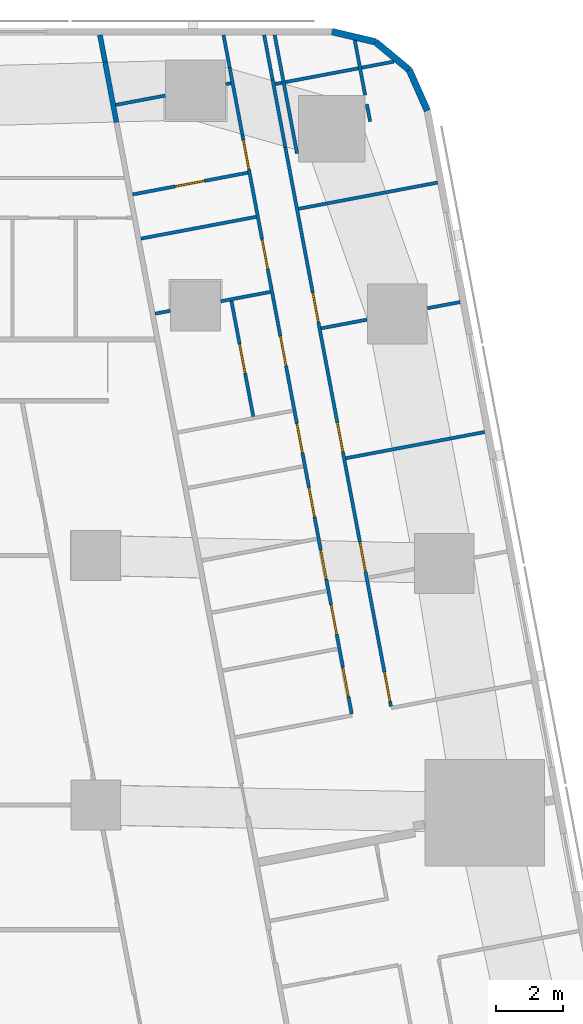
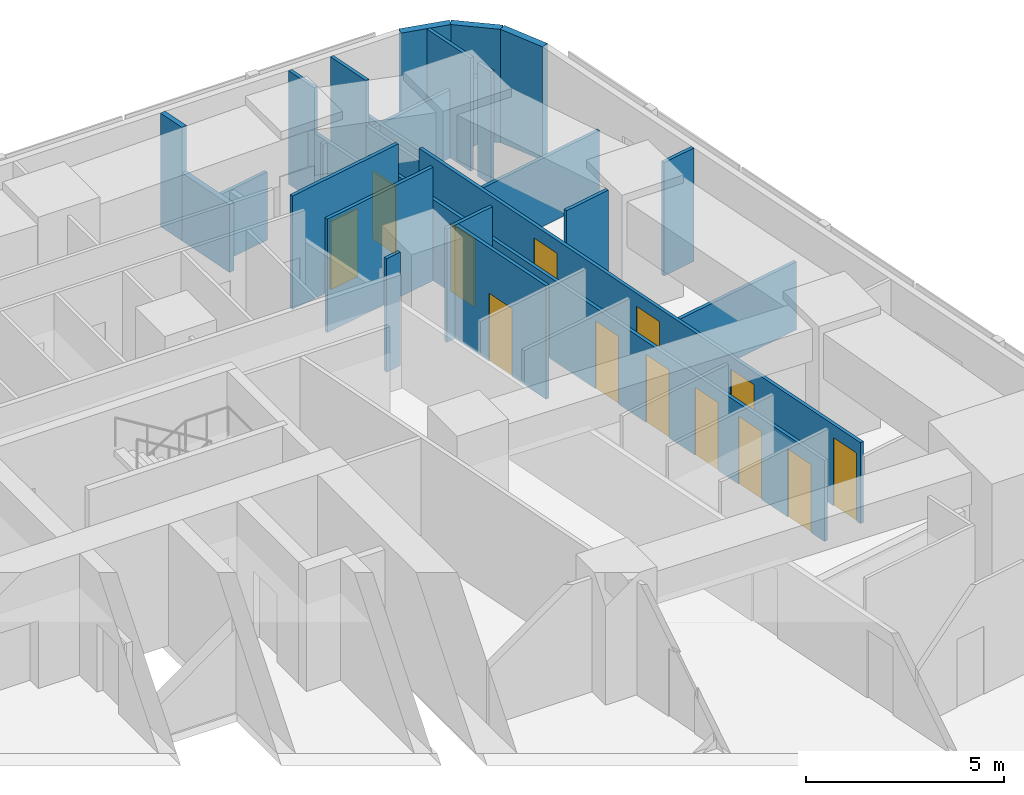
# One storey, part 11 of 15: 26 walls, 14 doors, 14 openings.
"""IFC4 building model written with IfcOpenShell, lengths in metres."""

from ifc_helpers import new_model, si_unit, direction, frame, frame_2d, origin, place, context, subcontext, project, spatial, rectangle, extrude, material, layer, layer_set, type_object, element, fill, save


model = new_model("IFC4")

# Units and contexts
model_context = context("Model", 3, precision=1e-05, world=origin(), true_north=direction((0.0, 1.0)))
body_context = subcontext(model_context, "Body", "Model", "MODEL_VIEW")
ifc_project = project(units=[si_unit("LENGTHUNIT", "METRE"), si_unit("AREAUNIT", "SQUARE_METRE"), si_unit("VOLUMEUNIT", "CUBIC_METRE"), si_unit("PLANEANGLEUNIT", "RADIAN"), si_unit("MASSUNIT", "GRAM", prefix="KILO")], contexts=[model_context])

# Site, building, storey
site_placement = place(None, origin())
site = spatial("IfcSite", under=ifc_project, at=site_placement, CompositionType="ELEMENT")
building_placement = place(site_placement, origin())
building = spatial("IfcBuilding", under=site, at=building_placement, Name="Sheger Commons Tower", CompositionType="ELEMENT")
storey_placement = place(building_placement, frame((0.0, 0.0, 143.300048828125)))
storey = spatial("IfcBuildingStorey", under=building, at=storey_placement, Name="L36", CompositionType="ELEMENT", Elevation=143.300048828125)

# Walls
ifc_material_1 = material(Name="Hollow concrete block masonry, skimmed both sides", Category="masonry")
ifc_layer_1 = layer(ifc_material_1, 0.14990234375)
ifc_layer_set_1 = layer_set([ifc_layer_1], Name="CORRIDOR WALL 150")
wall_type_1 = type_object("IfcWallType", Name="CORRIDOR WALL 150", PredefinedType="SOLIDWALL", material=ifc_layer_set_1)
wall_1_placement = place(storey_placement, frame((33.126953125, 45.64990234375, 0.0), z_axis=(0.0, 0.0, 1.0), x_axis=(0.186176514576, -0.982516313056, 0.0)))
element("IfcWall", 1, at=wall_1_placement, inside=storey, type_object=wall_type_1, Name="Corridor wall L36", PredefinedType="SOLIDWALL", context=body_context, shape_type="SweptSolid", body=[
    extrude(rectangle(XDim=0.827392578125, YDim=0.14990234375, at=frame_2d((0.41357421875, 0.0))), origin(), (0.0, 0.0, 1.0), 3.5),
])
wall_2_placement = place(storey_placement, frame((33.281005859375, 44.8369140625, 0.0), z_axis=(0.0, 0.0, 1.0), x_axis=(0.185198323004, -0.982701165745, 0.0)))
element("IfcWall", 2, at=wall_2_placement, inside=storey, type_object=wall_type_1, Name="Corridor wall L36", PredefinedType="SOLIDWALL", context=body_context, shape_type="SweptSolid", body=[
    extrude(rectangle(XDim=1.846923828125, YDim=0.14990234375, at=frame_2d((0.92333984375, 0.0))), origin(), (0.0, 0.0, 1.0), 2.099853515625),
])
ifc_material_2 = material(Name="Rendered concrete block masonry, dark grey", Category="masonry")
ifc_layer_2 = layer(ifc_material_2, 0.199951171875)
ifc_layer_set_2 = layer_set([ifc_layer_2], Name="FACADE WALL 200")
wall_type_2 = type_object("IfcWallType", Name="FACADE WALL 200", PredefinedType="SOLIDWALL", material=ifc_layer_set_2)
wall_3_placement = place(storey_placement, frame((42.969970703125, 43.376953125, 0.0), z_axis=(0.0, 0.0, 1.0), x_axis=(-0.406002956633, 0.913871762998, 0.0)))
element("IfcWall", 3, at=wall_3_placement, inside=storey, type_object=wall_type_2, Name="Facade wall L36", PredefinedType="SOLIDWALL", context=body_context, shape_type="SweptSolid", body=[
    extrude(rectangle(XDim=1.33740234375, YDim=0.199951171875, at=frame_2d((0.668701171875, 0.0))), origin(), (0.0, 0.0, 1.0), 3.5),
])
wall_4_placement = place(storey_placement, frame((42.427001953125, 44.59912109375, 0.0), z_axis=(0.0, 0.0, 1.0), x_axis=(-0.770091412544, 0.637933551655, 0.0)))
element("IfcWall", 4, at=wall_4_placement, inside=storey, type_object=wall_type_2, Name="Facade wall L36", PredefinedType="SOLIDWALL", context=body_context, shape_type="SweptSolid", body=[
    extrude(rectangle(XDim=1.324462890625, YDim=0.199951171875, at=frame_2d((0.662109375, 0.0))), origin(), (0.0, 0.0, 1.0), 3.5),
])
wall_5_placement = place(storey_placement, frame((41.406982421875, 45.444091796875, 0.0), z_axis=(0.0, 0.0, 1.0), x_axis=(-0.973453091607, 0.228886606077, 0.0)))
element("IfcWall", 5, at=wall_5_placement, inside=storey, type_object=wall_type_2, Name="Facade wall L36", PredefinedType="SOLIDWALL", context=body_context, shape_type="SweptSolid", body=[
    extrude(rectangle(XDim=1.33642578125, YDim=0.199951171875, at=frame_2d((0.668212890625, 0.0))), origin(), (0.0, 0.0, 1.0), 3.5),
])
ifc_material_3 = material(Name="Gypsum board on steel studs", Category="steel")
ifc_layer_3 = layer(ifc_material_3, 0.10009765625)
ifc_layer_set_3 = layer_set([ifc_layer_3], Name="PARTITION 100")
wall_type_3 = type_object("IfcWallType", Name="PARTITION 100", PredefinedType="PARTITIONING", material=ifc_layer_set_3)
wall_6_placement = place(storey_placement, frame((39.053955078125, 42.0849609375, 0.0), z_axis=(0.0, 0.0, 1.0), x_axis=(-0.185791584218, 0.982589175207, 0.0)))
element("IfcWall", 6, at=wall_6_placement, inside=storey, type_object=wall_type_3, Name="Partition L36", PredefinedType="PARTITIONING", context=body_context, shape_type="SweptSolid", body=[
    extrude(rectangle(XDim=3.628173828125, YDim=0.10009765625, at=frame_2d((1.81396484375, 0.0))), origin(), (0.0, 0.0, 1.0), 2.099853515625),
])
wall_7_placement = place(storey_placement, frame((40.7890625, 45.487060546875, 0.0), z_axis=(0.0, 0.0, 1.0), x_axis=(0.185572395193, -0.982630594955, 0.0)))
element("IfcWall", 7, at=wall_7_placement, inside=storey, type_object=wall_type_3, Name="Partition L36", PredefinedType="PARTITIONING", context=body_context, shape_type="SweptSolid", body=[
    extrude(rectangle(XDim=1.676025390625, YDim=0.10009765625, at=frame_2d((0.837890625, 0.0))), origin(), (0.0, 0.0, 1.0), 3.5),
])
wall_8_placement = place(storey_placement, frame((41.15087890625, 43.569091796875, 0.0), z_axis=(0.0, 0.0, 1.0), x_axis=(0.186563073924, -0.982442985342, 0.0)))
element("IfcWall", 8, at=wall_8_placement, inside=storey, type_object=wall_type_3, Name="Partition L36", PredefinedType="PARTITIONING", context=body_context, shape_type="SweptSolid", body=[
    extrude(rectangle(XDim=0.53125, YDim=0.10009765625, at=frame_2d((0.265625, 0.0))), origin(), (0.0, 0.0, 1.0), 3.5),
])
wall_9_placement = place(storey_placement, frame((38.06298828125, 45.64990234375, 0.0), z_axis=(0.0, 0.0, 1.0), x_axis=(0.185456359766, -0.982652501458, 0.0)))
element("IfcWall", 9, at=wall_9_placement, inside=storey, type_object=wall_type_3, Name="Partition L36", PredefinedType="PARTITIONING", context=body_context, shape_type="SweptSolid", body=[
    extrude(rectangle(XDim=1.375732421875, YDim=0.10009765625, at=frame_2d((0.68798828125, 0.0))), origin(), (0.0, 0.0, 1.0), 3.5),
])
wall_10_placement = place(storey_placement, frame((38.318115234375, 44.298095703125, 0.0), z_axis=(0.0, 0.0, 1.0), x_axis=(0.185481135188, -0.982647825261, 0.0)))
element("IfcWall", 10, at=wall_10_placement, inside=storey, type_object=wall_type_3, Name="Partition L36", PredefinedType="PARTITIONING", context=body_context, shape_type="SweptSolid", body=[
    extrude(rectangle(XDim=2.06396484375, YDim=0.10009765625, at=frame_2d((1.031982421875, 0.0))), origin(), (0.0, 0.0, 1.0), 2.099853515625),
])

# Wall, openings, doors
wall_11_placement = place(storey_placement, frame((38.700927734375, 42.27001953125, 0.0), z_axis=(0.0, 0.0, 1.0), x_axis=(0.185640619081, -0.98261770824, 0.0)))
wall_11 = element("IfcWall", 11, at=wall_11_placement, inside=storey, type_object=wall_type_3, Name="Partition L36", PredefinedType="PARTITIONING", context=body_context, shape_type="SweptSolid", body=[
    extrude(rectangle(XDim=17.103271484375, YDim=0.10009765625, at=frame_2d((8.5517578125, 0.0))), origin(), (0.0, 0.0, 1.0), 2.5),
])
opening_1_placement = place(wall_11_placement, frame((16.052978515625, 0.0, 0.0)))
opening_1 = element("IfcOpeningElement", 12, at=opening_1_placement, cuts=wall_11, Name="Opening D2", PredefinedType="OPENING", context=body_context, shape_type="SweptSolid", body=[
    extrude(rectangle(XDim=0.89990234375, YDim=2.10009765625, at=frame_2d((0.449951171875, 1.050048828125))), frame((0.0, 0.06005859375, 0.0), z_axis=(0.0, -1.0, 0.0), x_axis=(1.0, 0.0, 0.0)), (0.0, 0.0, 1.0), 0.1201171875),
])
opening_2_placement = place(wall_11_placement, frame((12.076904296875, 0.0, 0.0)))
opening_2 = element("IfcOpeningElement", 13, at=opening_2_placement, cuts=wall_11, Name="Opening D2", PredefinedType="OPENING", context=body_context, shape_type="SweptSolid", body=[
    extrude(rectangle(XDim=0.89990234375, YDim=2.10009765625, at=frame_2d((0.449951171875, 1.050048828125))), frame((0.0, 0.06005859375, 0.0), z_axis=(0.0, -1.0, 0.0), x_axis=(1.0, 0.0, 0.0)), (0.0, 0.0, 1.0), 0.1201171875),
])
opening_3_placement = place(wall_11_placement, frame((8.419921875, 0.0, 0.0)))
opening_3 = element("IfcOpeningElement", 14, at=opening_3_placement, cuts=wall_11, Name="Opening D2", PredefinedType="OPENING", context=body_context, shape_type="SweptSolid", body=[
    extrude(rectangle(XDim=0.89990234375, YDim=2.10009765625, at=frame_2d((0.449951171875, 1.050048828125))), frame((0.0, 0.06005859375, 0.0), z_axis=(0.0, -1.0, 0.0), x_axis=(1.0, 0.0, 0.0)), (0.0, 0.0, 1.0), 0.1201171875),
])
opening_4_placement = place(wall_11_placement, frame((4.444091796875, 0.0, 0.0)))
opening_4 = element("IfcOpeningElement", 15, at=opening_4_placement, cuts=wall_11, Name="Opening D2", PredefinedType="OPENING", context=body_context, shape_type="SweptSolid", body=[
    extrude(rectangle(XDim=0.89990234375, YDim=2.10009765625, at=frame_2d((0.449951171875, 1.050048828125))), frame((0.0, 0.06005859375, 0.0), z_axis=(0.0, -1.0, 0.0), x_axis=(1.0, 0.0, 0.0)), (0.0, 0.0, 1.0), 0.1201171875),
])
ifc_material_4 = material(Name="Timber door set", Category="wood")
door_type = type_object("IfcDoorType", Name="INTERNAL DOOR 900x2100", OperationType="NOTDEFINED", PredefinedType="DOOR", material=ifc_material_4)
door_1_placement = place(opening_1_placement, origin())
door_1 = element("IfcDoor", 16, at=door_1_placement, inside=storey, type_object=door_type, Name="Main bedroom door", OperationType="SINGLE_SWING_RIGHT", OverallHeight=2.10009765625, OverallWidth=0.89990234375, PredefinedType="DOOR", context=body_context, shape_type="SweptSolid", body=[
    extrude(rectangle(XDim=0.89990234375, YDim=2.10009765625, at=frame_2d((0.449951171875, 1.050048828125))), frame((0.0, 0.02490234375, 0.0), z_axis=(0.0, -1.0, 0.0), x_axis=(1.0, 0.0, 0.0)), (0.0, 0.0, 1.0), 0.050048828125),
])
fill(opening_1, door_1)
door_2_placement = place(opening_2_placement, origin())
door_2 = element("IfcDoor", 17, at=door_2_placement, inside=storey, type_object=door_type, Name="Bedroom 2 door", OperationType="SINGLE_SWING_RIGHT", OverallHeight=2.10009765625, OverallWidth=0.89990234375, PredefinedType="DOOR", context=body_context, shape_type="SweptSolid", body=[
    extrude(rectangle(XDim=0.89990234375, YDim=2.10009765625, at=frame_2d((0.449951171875, 1.050048828125))), frame((0.0, 0.02490234375, 0.0), z_axis=(0.0, -1.0, 0.0), x_axis=(1.0, 0.0, 0.0)), (0.0, 0.0, 1.0), 0.050048828125),
])
fill(opening_2, door_2)
door_3_placement = place(opening_3_placement, origin())
door_3 = element("IfcDoor", 18, at=door_3_placement, inside=storey, type_object=door_type, Name="Bedroom 3 door", OperationType="SINGLE_SWING_RIGHT", OverallHeight=2.10009765625, OverallWidth=0.89990234375, PredefinedType="DOOR", context=body_context, shape_type="SweptSolid", body=[
    extrude(rectangle(XDim=0.89990234375, YDim=2.10009765625, at=frame_2d((0.449951171875, 1.050048828125))), frame((0.0, 0.02490234375, 0.0), z_axis=(0.0, -1.0, 0.0), x_axis=(1.0, 0.0, 0.0)), (0.0, 0.0, 1.0), 0.050048828125),
])
fill(opening_3, door_3)
door_4_placement = place(opening_4_placement, origin())
door_4 = element("IfcDoor", 19, at=door_4_placement, inside=storey, type_object=door_type, Name="Bedroom 4 door", OperationType="SINGLE_SWING_RIGHT", OverallHeight=2.10009765625, OverallWidth=0.89990234375, PredefinedType="DOOR", context=body_context, shape_type="SweptSolid", body=[
    extrude(rectangle(XDim=0.89990234375, YDim=2.10009765625, at=frame_2d((0.449951171875, 1.050048828125))), frame((0.0, 0.02490234375, 0.0), z_axis=(0.0, -1.0, 0.0), x_axis=(1.0, 0.0, 0.0)), (0.0, 0.0, 1.0), 0.050048828125),
])
fill(opening_4, door_4)

# Walls
wall_12_placement = place(storey_placement, frame((36.842041015625, 45.64990234375, 0.0), z_axis=(0.0, 0.0, 1.0), x_axis=(0.185789875365, -0.982589498322, 0.0)))
element("IfcWall", 20, at=wall_12_placement, inside=storey, type_object=wall_type_3, Name="Partition L36", PredefinedType="PARTITIONING", context=body_context, shape_type="SweptSolid", body=[
    extrude(rectangle(XDim=1.001220703125, YDim=0.10009765625, at=frame_2d((0.50048828125, 0.0))), origin(), (0.0, 0.0, 1.0), 3.5),
])
wall_13_placement = place(storey_placement, frame((37.028076171875, 44.666015625, 0.0), z_axis=(0.0, 0.0, 1.0), x_axis=(0.185481135188, -0.982647825261, 0.0)))
element("IfcWall", 21, at=wall_13_placement, inside=storey, type_object=wall_type_3, Name="Partition L36", PredefinedType="PARTITIONING", context=body_context, shape_type="SweptSolid", body=[
    extrude(rectangle(XDim=2.06396484375, YDim=0.10009765625, at=frame_2d((1.031982421875, 0.0))), origin(), (0.0, 0.0, 1.0), 2.099853515625),
])

# Wall, openings, doors
wall_14_placement = place(storey_placement, frame((37.410888671875, 42.637939453125, 0.0), z_axis=(0.0, 0.0, 1.0), x_axis=(0.185555586706, -0.982633769134, 0.0)))
wall_14 = element("IfcWall", 22, at=wall_14_placement, inside=storey, type_object=wall_type_3, Name="Partition L36", PredefinedType="PARTITIONING", context=body_context, shape_type="SweptSolid", body=[
    extrude(rectangle(XDim=17.704345703125, YDim=0.10009765625, at=frame_2d((8.85205078125, 0.0))), origin(), (0.0, 0.0, 1.0), 2.5),
])
opening_5_placement = place(wall_14_placement, frame((16.280029296875, 0.0, 0.0)))
opening_5 = element("IfcOpeningElement", 23, at=opening_5_placement, cuts=wall_14, Name="Opening D2", PredefinedType="OPENING", context=body_context, shape_type="SweptSolid", body=[
    extrude(rectangle(XDim=0.89990234375, YDim=2.10009765625, at=frame_2d((0.449951171875, 1.050048828125))), frame((0.0, 0.06005859375, 0.0), z_axis=(0.0, -1.0, 0.0), x_axis=(1.0, 0.0, 0.0)), (0.0, 0.0, 1.0), 0.1201171875),
])
opening_6_placement = place(wall_14_placement, frame((12.68798828125, 0.0, 0.0)))
opening_6 = element("IfcOpeningElement", 24, at=opening_6_placement, cuts=wall_14, Name="Opening D2", PredefinedType="OPENING", context=body_context, shape_type="SweptSolid", body=[
    extrude(rectangle(XDim=0.89990234375, YDim=2.10009765625, at=frame_2d((0.449951171875, 1.050048828125))), frame((0.0, 0.06005859375, 0.0), z_axis=(0.0, -1.0, 0.0), x_axis=(1.0, 0.0, 0.0)), (0.0, 0.0, 1.0), 0.1201171875),
])
opening_7_placement = place(wall_14_placement, frame((8.822021484375, 0.0, 0.0)))
opening_7 = element("IfcOpeningElement", 25, at=opening_7_placement, cuts=wall_14, Name="Opening D2", PredefinedType="OPENING", context=body_context, shape_type="SweptSolid", body=[
    extrude(rectangle(XDim=0.89990234375, YDim=2.10009765625, at=frame_2d((0.449951171875, 1.050048828125))), frame((0.0, 0.06005859375, 0.0), z_axis=(0.0, -1.0, 0.0), x_axis=(1.0, 0.0, 0.0)), (0.0, 0.0, 1.0), 0.1201171875),
])
opening_8_placement = place(wall_14_placement, frame((3.18798828125, 0.0, 0.0)))
opening_8 = element("IfcOpeningElement", 26, at=opening_8_placement, cuts=wall_14, Name="Opening D2", PredefinedType="OPENING", context=body_context, shape_type="SweptSolid", body=[
    extrude(rectangle(XDim=0.89990234375, YDim=2.10009765625, at=frame_2d((0.449951171875, 1.050048828125))), frame((0.0, 0.06005859375, 0.0), z_axis=(0.0, -1.0, 0.0), x_axis=(1.0, 0.0, 0.0)), (0.0, 0.0, 1.0), 0.1201171875),
])
opening_9_placement = place(wall_14_placement, frame((0.14990234375, 0.0, 0.0)))
opening_9 = element("IfcOpeningElement", 27, at=opening_9_placement, cuts=wall_14, Name="Opening D2", PredefinedType="OPENING", context=body_context, shape_type="SweptSolid", body=[
    extrude(rectangle(XDim=0.89990234375, YDim=2.10009765625, at=frame_2d((0.449951171875, 1.050048828125))), frame((0.0, 0.06005859375, 0.0), z_axis=(0.0, -1.0, 0.0), x_axis=(1.0, 0.0, 0.0)), (0.0, 0.0, 1.0), 0.1201171875),
])
opening_10_placement = place(wall_14_placement, frame((14.37109375, 0.0, 0.0)))
opening_10 = element("IfcOpeningElement", 28, at=opening_10_placement, cuts=wall_14, Name="Opening D2", PredefinedType="OPENING", context=body_context, shape_type="SweptSolid", body=[
    extrude(rectangle(XDim=0.89990234375, YDim=2.10009765625, at=frame_2d((0.449951171875, 1.050048828125))), frame((0.0, 0.06005859375, 0.0), z_axis=(0.0, -1.0, 0.0), x_axis=(1.0, 0.0, 0.0)), (0.0, 0.0, 1.0), 0.1201171875),
])
opening_11_placement = place(wall_14_placement, frame((10.780029296875, 0.0, 0.0)))
opening_11 = element("IfcOpeningElement", 29, at=opening_11_placement, cuts=wall_14, Name="Opening D2", PredefinedType="OPENING", context=body_context, shape_type="SweptSolid", body=[
    extrude(rectangle(XDim=0.89990234375, YDim=2.10009765625, at=frame_2d((0.449951171875, 1.050048828125))), frame((0.0, 0.06005859375, 0.0), z_axis=(0.0, -1.0, 0.0), x_axis=(1.0, 0.0, 0.0)), (0.0, 0.0, 1.0), 0.1201171875),
])
opening_12_placement = place(wall_14_placement, frame((6.154052734375, 0.0, 0.0)))
opening_12 = element("IfcOpeningElement", 30, at=opening_12_placement, cuts=wall_14, Name="Opening D2", PredefinedType="OPENING", context=body_context, shape_type="SweptSolid", body=[
    extrude(rectangle(XDim=0.89990234375, YDim=2.10009765625, at=frame_2d((0.449951171875, 1.050048828125))), frame((0.0, 0.06005859375, 0.0), z_axis=(0.0, -1.0, 0.0), x_axis=(1.0, 0.0, 0.0)), (0.0, 0.0, 1.0), 0.1201171875),
])
door_5_placement = place(opening_5_placement, origin())
door_5 = element("IfcDoor", 31, at=door_5_placement, inside=storey, type_object=door_type, Name="Bathroom door", OperationType="SINGLE_SWING_LEFT", OverallHeight=2.10009765625, OverallWidth=0.89990234375, PredefinedType="DOOR", context=body_context, shape_type="SweptSolid", body=[
    extrude(rectangle(XDim=0.89990234375, YDim=2.10009765625, at=frame_2d((0.449951171875, 1.050048828125))), frame((0.0, 0.02490234375, 0.0), z_axis=(0.0, -1.0, 0.0), x_axis=(1.0, 0.0, 0.0)), (0.0, 0.0, 1.0), 0.050048828125),
])
fill(opening_5, door_5)
door_6_placement = place(opening_6_placement, origin())
door_6 = element("IfcDoor", 32, at=door_6_placement, inside=storey, type_object=door_type, Name="Shower room door", OperationType="SINGLE_SWING_RIGHT", OverallHeight=2.10009765625, OverallWidth=0.89990234375, PredefinedType="DOOR", context=body_context, shape_type="SweptSolid", body=[
    extrude(rectangle(XDim=0.89990234375, YDim=2.10009765625, at=frame_2d((0.449951171875, 1.050048828125))), frame((0.0, 0.02490234375, 0.0), z_axis=(0.0, -1.0, 0.0), x_axis=(1.0, 0.0, 0.0)), (0.0, 0.0, 1.0), 0.050048828125),
])
fill(opening_6, door_6)
door_7_placement = place(opening_7_placement, origin())
door_7 = element("IfcDoor", 33, at=door_7_placement, inside=storey, type_object=door_type, Name="Laundry room door", OperationType="SINGLE_SWING_RIGHT", OverallHeight=2.10009765625, OverallWidth=0.89990234375, PredefinedType="DOOR", context=body_context, shape_type="SweptSolid", body=[
    extrude(rectangle(XDim=0.89990234375, YDim=2.10009765625, at=frame_2d((0.449951171875, 1.050048828125))), frame((0.0, 0.02490234375, 0.0), z_axis=(0.0, -1.0, 0.0), x_axis=(1.0, 0.0, 0.0)), (0.0, 0.0, 1.0), 0.050048828125),
])
fill(opening_7, door_7)
door_8_placement = place(opening_8_placement, origin())
door_8 = element("IfcDoor", 34, at=door_8_placement, inside=storey, type_object=door_type, Name="Store and laundry door", OperationType="SINGLE_SWING_LEFT", OverallHeight=2.10009765625, OverallWidth=0.89990234375, PredefinedType="DOOR", context=body_context, shape_type="SweptSolid", body=[
    extrude(rectangle(XDim=0.89990234375, YDim=2.10009765625, at=frame_2d((0.449951171875, 1.050048828125))), frame((0.0, 0.02490234375, 0.0), z_axis=(0.0, -1.0, 0.0), x_axis=(1.0, 0.0, 0.0)), (0.0, 0.0, 1.0), 0.050048828125),
])
fill(opening_8, door_8)
door_9_placement = place(opening_9_placement, origin())
door_9 = element("IfcDoor", 35, at=door_9_placement, inside=storey, type_object=door_type, Name="Store and laundry door", OperationType="SINGLE_SWING_RIGHT", OverallHeight=2.10009765625, OverallWidth=0.89990234375, PredefinedType="DOOR", context=body_context, shape_type="SweptSolid", body=[
    extrude(rectangle(XDim=0.89990234375, YDim=2.10009765625, at=frame_2d((0.449951171875, 1.050048828125))), frame((0.0, 0.02490234375, 0.0), z_axis=(0.0, -1.0, 0.0), x_axis=(1.0, 0.0, 0.0)), (0.0, 0.0, 1.0), 0.050048828125),
])
fill(opening_9, door_9)
door_10_placement = place(opening_10_placement, origin())
door_10 = element("IfcDoor", 36, at=door_10_placement, inside=storey, type_object=door_type, Name="Store door", OperationType="SINGLE_SWING_LEFT", OverallHeight=2.10009765625, OverallWidth=0.89990234375, PredefinedType="DOOR", context=body_context, shape_type="SweptSolid", body=[
    extrude(rectangle(XDim=0.89990234375, YDim=2.10009765625, at=frame_2d((0.449951171875, 1.050048828125))), frame((0.0, 0.02490234375, 0.0), z_axis=(0.0, -1.0, 0.0), x_axis=(1.0, 0.0, 0.0)), (0.0, 0.0, 1.0), 0.050048828125),
])
fill(opening_10, door_10)
door_11_placement = place(opening_11_placement, origin())
door_11 = element("IfcDoor", 37, at=door_11_placement, inside=storey, type_object=door_type, Name="Store door", OperationType="SINGLE_SWING_LEFT", OverallHeight=2.10009765625, OverallWidth=0.89990234375, PredefinedType="DOOR", context=body_context, shape_type="SweptSolid", body=[
    extrude(rectangle(XDim=0.89990234375, YDim=2.10009765625, at=frame_2d((0.449951171875, 1.050048828125))), frame((0.0, 0.02490234375, 0.0), z_axis=(0.0, -1.0, 0.0), x_axis=(1.0, 0.0, 0.0)), (0.0, 0.0, 1.0), 0.050048828125),
])
fill(opening_11, door_11)
door_12_placement = place(opening_12_placement, origin())
door_12 = element("IfcDoor", 38, at=door_12_placement, inside=storey, type_object=door_type, Name="Store door", OperationType="SINGLE_SWING_RIGHT", OverallHeight=2.10009765625, OverallWidth=0.89990234375, PredefinedType="DOOR", context=body_context, shape_type="SweptSolid", body=[
    extrude(rectangle(XDim=0.89990234375, YDim=2.10009765625, at=frame_2d((0.449951171875, 1.050048828125))), frame((0.0, 0.02490234375, 0.0), z_axis=(0.0, -1.0, 0.0), x_axis=(1.0, 0.0, 0.0)), (0.0, 0.0, 1.0), 0.050048828125),
])
fill(opening_12, door_12)

# Walls
wall_15_placement = place(storey_placement, frame((41.968017578125, 44.85009765625, 0.0), z_axis=(0.0, 0.0, 1.0), x_axis=(-0.98258614234, -0.185807623311, 0.0)))
element("IfcWall", 39, at=wall_15_placement, inside=storey, type_object=wall_type_3, Name="Partition L36", PredefinedType="PARTITIONING", context=body_context, shape_type="SweptSolid", body=[
    extrude(rectangle(XDim=3.638427734375, YDim=0.10009765625, at=frame_2d((1.8193359375, 0.0))), origin(), (0.0, 0.0, 1.0), 2.099853515625),
])
wall_16_placement = place(storey_placement, frame((43.277099609375, 41.2119140625, 0.0), z_axis=(0.0, 0.0, 1.0), x_axis=(-0.982665405803, -0.185387972203, 0.0)))
element("IfcWall", 40, at=wall_16_placement, inside=storey, type_object=wall_type_3, Name="Partition L36", PredefinedType="PARTITIONING", context=body_context, shape_type="SweptSolid", body=[
    extrude(rectangle(XDim=4.249755859375, YDim=0.10009765625, at=frame_2d((2.125, 0.0))), origin(), (0.0, 0.0, 1.0), 2.099853515625),
])
wall_17_placement = place(storey_placement, frame((43.955078125, 37.6201171875, 0.0), z_axis=(0.0, 0.0, 1.0), x_axis=(-0.982666697719, -0.185381124159, 0.0)))
element("IfcWall", 41, at=wall_17_placement, inside=storey, type_object=wall_type_3, Name="Partition L36", PredefinedType="PARTITIONING", context=body_context, shape_type="SweptSolid", body=[
    extrude(rectangle(XDim=0.998291015625, YDim=0.10009765625, at=frame_2d((0.4990234375, 0.0))), origin(), (0.0, 0.0, 1.0), 3.5),
])
wall_18_placement = place(storey_placement, frame((41.154052734375, 37.091064453125, 0.0), z_axis=(0.0, 0.0, 1.0), x_axis=(-0.982562488259, -0.185932667021, 0.0)))
element("IfcWall", 42, at=wall_18_placement, inside=storey, type_object=wall_type_3, Name="Partition L36", PredefinedType="PARTITIONING", context=body_context, shape_type="SweptSolid", body=[
    extrude(rectangle(XDim=1.3984375, YDim=0.10009765625, at=frame_2d((0.69921875, 0.0))), origin(), (0.0, 0.0, 1.0), 3.5),
])
wall_19_placement = place(storey_placement, frame((44.693115234375, 33.712890625, 0.0), z_axis=(0.0, 0.0, 1.0), x_axis=(-0.982615600536, -0.185651775062, 0.0)))
element("IfcWall", 43, at=wall_19_placement, inside=storey, type_object=wall_type_3, Name="Partition L36", PredefinedType="PARTITIONING", context=body_context, shape_type="SweptSolid", body=[
    extrude(rectangle(XDim=4.2490234375, YDim=0.10009765625, at=frame_2d((2.12451171875, 0.0))), origin(), (0.0, 0.0, 1.0), 2.099853515625),
])
wall_20_placement = place(storey_placement, frame((37.06494140625, 44.200927734375, 0.0), z_axis=(0.0, 0.0, 1.0), x_axis=(-0.983168876381, -0.182699098288, 0.0)))
element("IfcWall", 44, at=wall_20_placement, inside=storey, type_object=wall_type_3, Name="Partition L36", PredefinedType="PARTITIONING", context=body_context, shape_type="SweptSolid", body=[
    extrude(rectangle(XDim=0.15771484375, YDim=0.10009765625, at=frame_2d((0.078857421875, 0.0))), origin(), (0.0, 0.0, 1.0), 2.099853515625),
])
wall_21_placement = place(storey_placement, frame((35.090087890625, 43.827880859375, 0.0), z_axis=(0.0, 0.0, 1.0), x_axis=(-0.982683801717, -0.185290436461, 0.0)))
element("IfcWall", 45, at=wall_21_placement, inside=storey, type_object=wall_type_3, Name="Partition L36", PredefinedType="PARTITIONING", context=body_context, shape_type="SweptSolid", body=[
    extrude(rectangle(XDim=1.51513671875, YDim=0.10009765625, at=frame_2d((0.757568359375, 0.0))), origin(), (0.0, 0.0, 1.0), 2.099853515625),
])
wall_22_placement = place(storey_placement, frame((37.823974609375, 40.181884765625, 0.0), z_axis=(0.0, 0.0, 1.0), x_axis=(-0.982648794755, -0.185475998897, 0.0)))
element("IfcWall", 46, at=wall_22_placement, inside=storey, type_object=wall_type_3, Name="Partition L36", PredefinedType="PARTITIONING", context=body_context, shape_type="SweptSolid", body=[
    extrude(rectangle(XDim=3.525146484375, YDim=0.10009765625, at=frame_2d((1.7626953125, 0.0))), origin(), (0.0, 0.0, 1.0), 3.5),
])
wall_23_placement = place(storey_placement, frame((38.25, 37.925048828125, 0.0), z_axis=(0.0, 0.0, 1.0), x_axis=(-0.982676595259, -0.18532865167, 0.0)))
element("IfcWall", 47, at=wall_23_placement, inside=storey, type_object=wall_type_3, Name="Partition L36", PredefinedType="PARTITIONING", context=body_context, shape_type="SweptSolid", body=[
    extrude(rectangle(XDim=1.516357421875, YDim=0.10009765625, at=frame_2d((0.75830078125, 0.0))), origin(), (0.0, 0.0, 1.0), 3.5),
])
wall_24_placement = place(storey_placement, frame((35.239990234375, 37.35693359375, 0.0), z_axis=(0.0, 0.0, 1.0), x_axis=(-0.982559813104, -0.18594680334, 0.0)))
element("IfcWall", 48, at=wall_24_placement, inside=storey, type_object=wall_type_3, Name="Partition L36", PredefinedType="PARTITIONING", context=body_context, shape_type="SweptSolid", body=[
    extrude(rectangle(XDim=0.462158203125, YDim=0.10009765625, at=frame_2d((0.23095703125, 0.0))), origin(), (0.0, 0.0, 1.0), 3.5),
])

# Wall, opening, door
wall_25_placement = place(storey_placement, frame((37.080078125, 37.653076171875, 0.0), z_axis=(0.0, 0.0, 1.0), x_axis=(0.185864634688, -0.982575359742, 0.0)))
wall_25 = element("IfcWall", 49, at=wall_25_placement, inside=storey, type_object=wall_type_3, Name="Partition L36", PredefinedType="PARTITIONING", context=body_context, shape_type="SweptSolid", body=[
    extrude(rectangle(XDim=3.53466796875, YDim=0.10009765625, at=frame_2d((1.767333984375, 0.0))), origin(), (0.0, 0.0, 1.0), 3.5),
])
opening_13_placement = place(wall_25_placement, frame((1.31689453125, 0.0, 0.0)))
opening_13 = element("IfcOpeningElement", 50, at=opening_13_placement, cuts=wall_25, Name="Opening D2", PredefinedType="OPENING", context=body_context, shape_type="SweptSolid", body=[
    extrude(rectangle(XDim=0.89990234375, YDim=2.10009765625, at=frame_2d((0.449951171875, 1.050048828125))), frame((0.0, 0.06005859375, 0.0), z_axis=(0.0, -1.0, 0.0), x_axis=(1.0, 0.0, 0.0)), (0.0, 0.0, 1.0), 0.1201171875),
])
door_13_placement = place(opening_13_placement, origin())
door_13 = element("IfcDoor", 51, at=door_13_placement, inside=storey, type_object=door_type, Name="Store door", OperationType="SINGLE_SWING_RIGHT", OverallHeight=2.10009765625, OverallWidth=0.89990234375, PredefinedType="DOOR", context=body_context, shape_type="SweptSolid", body=[
    extrude(rectangle(XDim=0.89990234375, YDim=2.10009765625, at=frame_2d((0.449951171875, 1.050048828125))), frame((0.0, 0.02490234375, 0.0), z_axis=(0.0, -1.0, 0.0), x_axis=(1.0, 0.0, 0.0)), (0.0, 0.0, 1.0), 0.050048828125),
])
fill(opening_13, door_13)

wall_26_placement = place(storey_placement, frame((37.572998046875, 41.509033203125, 0.0), z_axis=(0.0, 0.0, 1.0), x_axis=(-0.982638553676, -0.185530247748, 0.0)))
wall_26 = element("IfcWall", 52, at=wall_26_placement, inside=storey, type_object=wall_type_3, Name="Partition L36", PredefinedType="PARTITIONING", context=body_context, shape_type="SweptSolid", body=[
    extrude(rectangle(XDim=3.525390625, YDim=0.10009765625, at=frame_2d((1.7626953125, 0.0))), origin(), (0.0, 0.0, 1.0), 3.5),
])
opening_14_placement = place(wall_26_placement, frame((1.324951171875, 0.0, 0.0)))
opening_14 = element("IfcOpeningElement", 53, at=opening_14_placement, cuts=wall_26, Name="Opening D2", PredefinedType="OPENING", context=body_context, shape_type="SweptSolid", body=[
    extrude(rectangle(XDim=0.89990234375, YDim=2.10009765625, at=frame_2d((0.449951171875, 1.050048828125))), frame((0.0, 0.06005859375, 0.0), z_axis=(0.0, -1.0, 0.0), x_axis=(1.0, 0.0, 0.0)), (0.0, 0.0, 1.0), 0.1201171875),
])
door_14_placement = place(opening_14_placement, origin())
door_14 = element("IfcDoor", 54, at=door_14_placement, inside=storey, type_object=door_type, Name="Store door", OperationType="SINGLE_SWING_RIGHT", OverallHeight=2.10009765625, OverallWidth=0.89990234375, PredefinedType="DOOR", context=body_context, shape_type="SweptSolid", body=[
    extrude(rectangle(XDim=0.89990234375, YDim=2.10009765625, at=frame_2d((0.449951171875, 1.050048828125))), frame((0.0, 0.02490234375, 0.0), z_axis=(0.0, -1.0, 0.0), x_axis=(1.0, 0.0, 0.0)), (0.0, 0.0, 1.0), 0.050048828125),
])
fill(opening_14, door_14)

save(model, "model.ifc")
